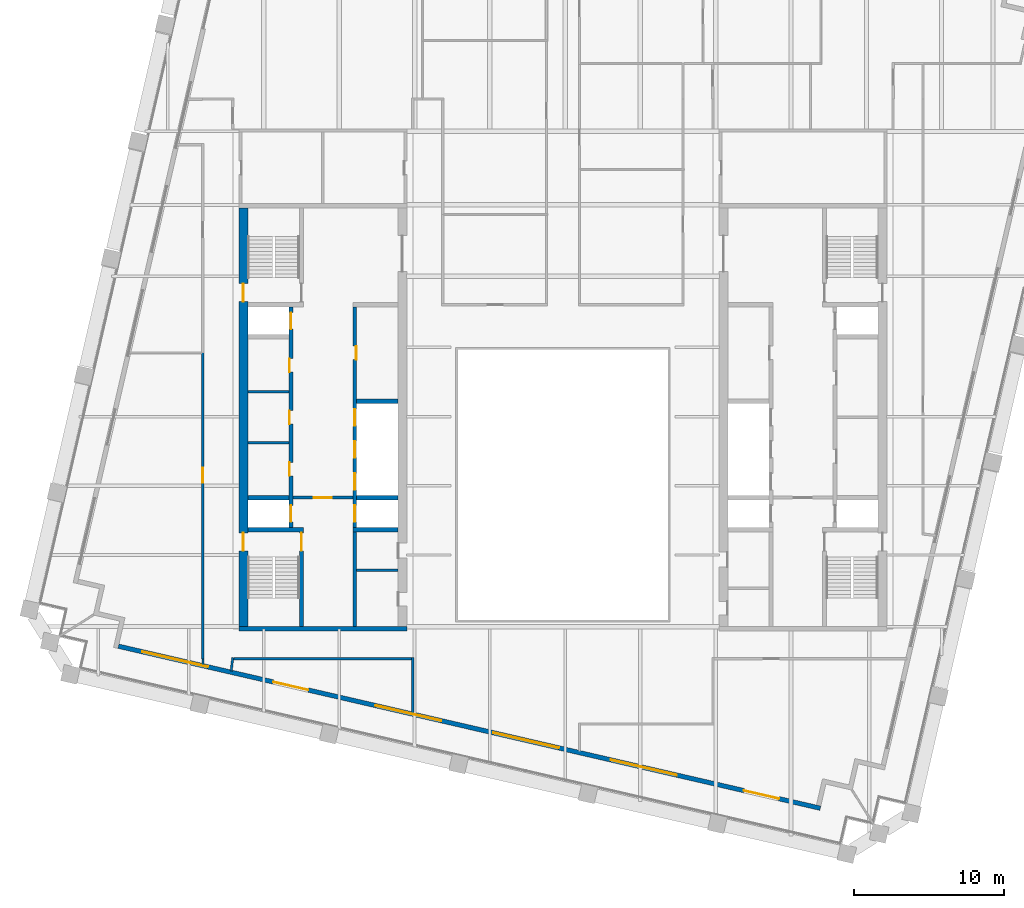
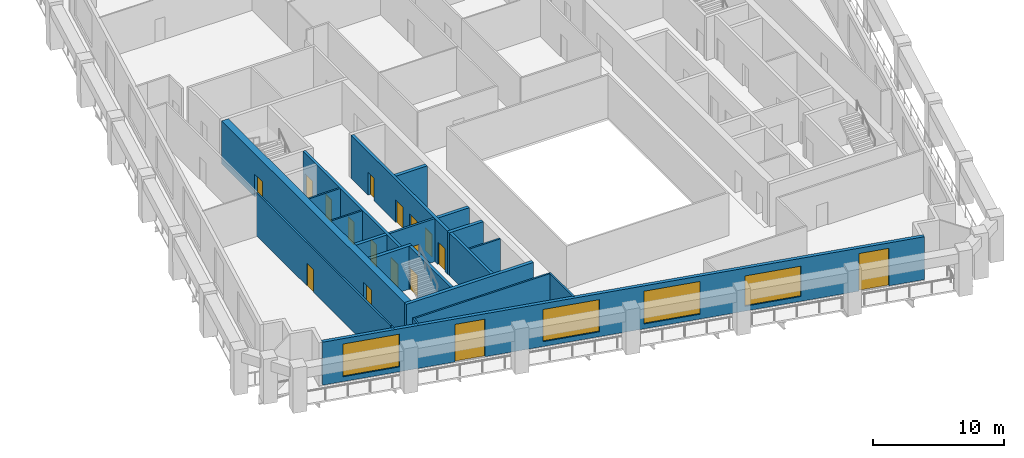
# One storey, part 4 of 10: 20 walls, 17 doors, 4 windows, 21 openings.
"""IFC4 building model written with IfcOpenShell, lengths in metres."""

from ifc_helpers import new_model, si_unit, direction, frame, frame_2d, origin, place, context, subcontext, project, spatial, rectangle, extrude, material, layer, layer_set, type_object, element, fill, save


model = new_model("IFC4")

# Units and contexts
model_context = context("Model", 3, precision=1e-05, world=origin(), true_north=direction((0.0, 1.0)))
body_context = subcontext(model_context, "Body", "Model", "MODEL_VIEW")
ifc_project = project(units=[si_unit("LENGTHUNIT", "METRE"), si_unit("AREAUNIT", "SQUARE_METRE"), si_unit("VOLUMEUNIT", "CUBIC_METRE"), si_unit("PLANEANGLEUNIT", "RADIAN"), si_unit("MASSUNIT", "GRAM", prefix="KILO")], contexts=[model_context])

# Site, building, storey
site_placement = place(None, origin())
site = spatial("IfcSite", under=ifc_project, at=site_placement, CompositionType="ELEMENT")
building_placement = place(site_placement, origin())
building = spatial("IfcBuilding", under=site, at=building_placement, Name="Ogive Exchange Tower", CompositionType="ELEMENT")
storey_placement = place(building_placement, frame((0.0, 0.0, 251.39990234375)))
storey = spatial("IfcBuildingStorey", under=building, at=storey_placement, Name="L54", CompositionType="ELEMENT", Elevation=251.39990234375)

# Walls
ifc_material_1 = material(Name="Gypsum board partition")
ifc_layer_1 = layer(ifc_material_1, 0.14990234375)
ifc_layer_set_1 = layer_set([ifc_layer_1], Name="Core room partition 150 gypsum")
wall_type_1 = type_object("IfcWallType", Name="Core room partition 150 gypsum", PredefinedType="PARTITIONING", material=ifc_layer_set_1)
for number, where, z_axis, x_axis, name in (
    (1, (-21.0, 9.800048828125, 0.0), (0.0, 0.0, 1.0), (1.0, 0.0, 0.0), "W row A bay partition 1-1"),
    (2, (-21.0, 13.199951171875, 0.0), (0.0, 0.0, 1.0), (1.0, 0.0, 0.0), "W row A bay partition 1-2"),
    (3, (-13.75, 1.300048828125, 0.0), (0.0, 0.0, 1.0), (1.0, 0.0, 0.0), "W south room partition"),
):
    element("IfcWall", number, at=place(storey_placement, frame(where, z_axis=z_axis, x_axis=x_axis)), inside=storey, type_object=wall_type_1, Name=name, PredefinedType="PARTITIONING", context=body_context, shape_type="SweptSolid", body=[
        extrude(rectangle(XDim=2.75, YDim=0.14990234375, at=frame_2d((1.375, 0.0))), origin(), (0.0, 0.0, 1.0), 4.0),
    ])

# Wall, opening, door
ifc_material_2 = material(Name="Fire partition EI 60 150")
ifc_layer_2 = layer(ifc_material_2, 0.14990234375)
ifc_layer_set_2 = layer_set([ifc_layer_2], Name="Fire partition EI 60 150")
wall_type_2 = type_object("IfcWallType", Name="Fire partition EI 60 150", PredefinedType="PARTITIONING", material=ifc_layer_set_2)
wall_1_placement = place(storey_placement, frame((-24.0, -4.60009765625, 0.0), z_axis=(0.0, 0.0, 1.0), x_axis=(0.0, 1.0, 0.0)))
wall_1 = element("IfcWall", 4, at=wall_1_placement, inside=storey, type_object=wall_type_2, Name="L54-PWL-002", PredefinedType="PARTITIONING", context=body_context, shape_type="SweptSolid", body=[
    extrude(rectangle(XDim=20.440185546875, YDim=0.14990234375, at=frame_2d((10.22021484375, 0.0))), origin(), (0.0, 0.0, 1.0), 4.0),
])
opening_1_placement = place(wall_1_placement, frame((11.739990234375, 0.0, 0.0)))
opening_1 = element("IfcOpeningElement", 5, at=opening_1_placement, cuts=wall_1, Name="Opening L54-I07", PredefinedType="OPENING", context=body_context, shape_type="SweptSolid", body=[
    extrude(rectangle(XDim=1.0, YDim=2.10009765625, at=frame_2d((0.5, 1.050048828125))), frame((0.0, 0.0849609375, 0.0), z_axis=(0.0, -1.0, 0.0), x_axis=(1.0, 0.0, 0.0)), (0.0, 0.0, 1.0), 0.169921875),
])
ifc_material_3 = material(Name="Fire door FD 30S 1000 x 2100")
door_type_1 = type_object("IfcDoorType", Name="Fire door FD 30S 1000 x 2100", OperationType="NOTDEFINED", PredefinedType="DOOR", material=ifc_material_3)
door_1_placement = place(opening_1_placement, origin())
door_1 = element("IfcDoor", 6, at=door_1_placement, inside=storey, type_object=door_type_1, Name="L54-IDR-007", ObjectType="DT3", OperationType="SINGLE_SWING_LEFT", OverallHeight=2.10009765625, OverallWidth=1.0, PredefinedType="DOOR", context=body_context, shape_type="SweptSolid", body=[
    extrude(rectangle(XDim=1.0, YDim=2.10009765625, at=frame_2d((0.5, 1.050048828125))), frame((0.0, 0.02490234375, 0.0), z_axis=(0.0, -1.0, 0.0), x_axis=(1.0, 0.0, 0.0)), (0.0, 0.0, 1.0), 0.050048828125),
])
fill(opening_1, door_1)

# Walls
wall_2_placement = place(storey_placement, frame((-23.989990234375, -4.986083984375, 0.0), z_axis=(0.0, 0.0, 1.0), x_axis=(0.0, 1.0, 0.0)))
element("IfcWall", 7, at=wall_2_placement, inside=storey, type_object=wall_type_2, Name="L54-PWL-007", PredefinedType="PARTITIONING", context=body_context, shape_type="SweptSolid", body=[
    extrude(rectangle(XDim=0.385986328125, YDim=0.14990234375, at=frame_2d((0.19287109375, 0.0))), origin(), (0.0, 0.0, 1.0), 4.0),
])
wall_3_placement = place(storey_placement, frame((-22.0009765625, -4.52490234375, 0.0), z_axis=(0.0, 0.0, 1.0), x_axis=(-0.115302119865, -0.993330469257, 0.0)))
element("IfcWall", 8, at=wall_3_placement, inside=storey, type_object=wall_type_2, Name="L54-PWL-009", PredefinedType="PARTITIONING", context=body_context, shape_type="SweptSolid", body=[
    extrude(rectangle(XDim=0.902099609375, YDim=0.14990234375, at=frame_2d((0.451171875, 0.0))), origin(), (0.0, 0.0, 1.0), 4.0),
])
wall_4_placement = place(storey_placement, frame((-10.0, -8.216064453125, 0.0), z_axis=(0.0, 0.0, 1.0), x_axis=(0.0, 1.0, 0.0)))
element("IfcWall", 9, at=wall_4_placement, inside=storey, type_object=wall_type_2, Name="L54-PWL-011", PredefinedType="PARTITIONING", context=body_context, shape_type="SweptSolid", body=[
    extrude(rectangle(XDim=3.691162109375, YDim=0.14990234375, at=frame_2d((1.845703125, 0.0))), origin(), (0.0, 0.0, 1.0), 4.0),
])
wall_5_placement = place(storey_placement, frame((-10.074951171875, -4.60009765625, 0.0), z_axis=(0.0, 0.0, 1.0), x_axis=(-1.0, 0.0, 0.0)))
element("IfcWall", 10, at=wall_5_placement, inside=storey, type_object=wall_type_2, Name="L54-PWL-012", PredefinedType="PARTITIONING", context=body_context, shape_type="SweptSolid", body=[
    extrude(rectangle(XDim=11.860107421875, YDim=0.14990234375, at=frame_2d((5.93017578125, 0.0))), origin(), (0.0, 0.0, 1.0), 4.0),
])

# Wall, openings, doors, windows
ifc_material_4 = material(Name="Precast concrete C40/50", Category="concrete")
ifc_layer_3 = layer(ifc_material_4, 0.300048828125)
ifc_layer_set_3 = layer_set([ifc_layer_3], Name="Limestone-faced wall 300")
wall_type_3 = type_object("IfcWallType", Name="Limestone-faced wall 300", PredefinedType="STANDARD", material=ifc_layer_set_3)
wall_6_placement = place(storey_placement, frame((-29.6162109375, -3.75830078125, 0.0), z_axis=(0.0, 0.0, 1.0), x_axis=(0.974370532314, -0.224949029246, 0.0)))
wall_6 = element("IfcWall", 11, at=wall_6_placement, inside=storey, type_object=wall_type_3, Name="External wall S1", PredefinedType="STANDARD", context=body_context, shape_type="SweptSolid", body=[
    extrude(rectangle(XDim=48.000244140625, YDim=0.300048828125, at=frame_2d((24.0, 0.0))), origin(), (0.0, 0.0, 1.0), 4.0),
])
opening_2_placement = place(wall_6_placement, frame((1.625, 0.0, 0.449951171875)))
opening_2 = element("IfcOpeningElement", 12, at=opening_2_placement, cuts=wall_6, Name="Opening W1", PredefinedType="OPENING", context=body_context, shape_type="SweptSolid", body=[
    extrude(rectangle(XDim=4.5, YDim=3.050048828125, at=frame_2d((2.25, 1.52490234375))), frame((0.0, 0.159912109375, 0.0), z_axis=(0.0, -1.0, 0.0), x_axis=(1.0, 0.0, 0.0)), (0.0, 0.0, 1.0), 0.320068359375),
])
opening_3_placement = place(wall_6_placement, frame((10.574951171875, 0.0, 0.0)))
opening_3 = element("IfcOpeningElement", 13, at=opening_3_placement, cuts=wall_6, Name="Opening D1", PredefinedType="OPENING", context=body_context, shape_type="SweptSolid", body=[
    extrude(rectangle(XDim=2.39990234375, YDim=3.5, at=frame_2d((1.199951171875, 1.75))), frame((0.0, 0.159912109375, 0.0), z_axis=(0.0, -1.0, 0.0), x_axis=(1.0, 0.0, 0.0)), (0.0, 0.0, 1.0), 0.320068359375),
])
opening_4_placement = place(wall_6_placement, frame((17.574951171875, 0.0, 0.449951171875)))
opening_4 = element("IfcOpeningElement", 14, at=opening_4_placement, cuts=wall_6, Name="Opening W1A", PredefinedType="OPENING", context=body_context, shape_type="SweptSolid", body=[
    extrude(rectangle(XDim=4.5, YDim=3.0, at=frame_2d((2.25, 1.5))), frame((0.0, 0.159912109375, 0.0), z_axis=(0.0, -1.0, 0.0), x_axis=(1.0, 0.0, 0.0)), (0.0, 0.0, 1.0), 0.320068359375),
])
opening_5_placement = place(wall_6_placement, frame((25.625, 0.0, 0.449951171875)))
opening_5 = element("IfcOpeningElement", 15, at=opening_5_placement, cuts=wall_6, Name="Opening W1", PredefinedType="OPENING", context=body_context, shape_type="SweptSolid", body=[
    extrude(rectangle(XDim=4.5, YDim=3.050048828125, at=frame_2d((2.25, 1.52490234375))), frame((0.0, 0.159912109375, 0.0), z_axis=(0.0, -1.0, 0.0), x_axis=(1.0, 0.0, 0.0)), (0.0, 0.0, 1.0), 0.320068359375),
])
opening_6_placement = place(wall_6_placement, frame((33.675048828125, 0.0, 0.449951171875)))
opening_6 = element("IfcOpeningElement", 16, at=opening_6_placement, cuts=wall_6, Name="Opening W1E", PredefinedType="OPENING", context=body_context, shape_type="SweptSolid", body=[
    extrude(rectangle(XDim=4.5, YDim=2.824951171875, at=frame_2d((2.25, 1.41259765625))), frame((0.0, 0.159912109375, 0.0), z_axis=(0.0, -1.0, 0.0), x_axis=(1.0, 0.0, 0.0)), (0.0, 0.0, 1.0), 0.320068359375),
])
opening_7_placement = place(wall_6_placement, frame((42.77490234375, 0.0, 0.0)))
opening_7 = element("IfcOpeningElement", 17, at=opening_7_placement, cuts=wall_6, Name="Opening D1", PredefinedType="OPENING", context=body_context, shape_type="SweptSolid", body=[
    extrude(rectangle(XDim=2.39990234375, YDim=3.5, at=frame_2d((1.199951171875, 1.75))), frame((0.0, 0.159912109375, 0.0), z_axis=(0.0, -1.0, 0.0), x_axis=(1.0, 0.0, 0.0)), (0.0, 0.0, 1.0), 0.320068359375),
])
ifc_material_5 = material(Name="Clear glass in bronze frame", Category="glass")
door_type_2 = type_object("IfcDoorType", Name="Sliding loggia door 2400 x 3500", OperationType="DOUBLE_DOOR_SLIDING", PredefinedType="DOOR", material=ifc_material_5)
door_2_placement = place(opening_3_placement, origin())
door_2 = element("IfcDoor", 18, at=door_2_placement, inside=storey, type_object=door_type_2, Name="Loggia door S01", OperationType="DOUBLE_DOOR_SLIDING", OverallHeight=3.5, OverallWidth=2.39990234375, PredefinedType="DOOR", context=body_context, shape_type="SweptSolid", body=[
    extrude(rectangle(XDim=2.39990234375, YDim=3.5, at=frame_2d((1.199951171875, 1.75))), frame((0.0, 0.02490234375, 0.0), z_axis=(0.0, -1.0, 0.0), x_axis=(1.0, 0.0, 0.0)), (0.0, 0.0, 1.0), 0.050048828125),
])
fill(opening_3, door_2)
door_3_placement = place(opening_7_placement, origin())
door_3 = element("IfcDoor", 19, at=door_3_placement, inside=storey, type_object=door_type_2, Name="Loggia door S05", OperationType="DOUBLE_DOOR_SLIDING", OverallHeight=3.5, OverallWidth=2.39990234375, PredefinedType="DOOR", context=body_context, shape_type="SweptSolid", body=[
    extrude(rectangle(XDim=2.39990234375, YDim=3.5, at=frame_2d((1.199951171875, 1.75))), frame((0.0, 0.02490234375, 0.0), z_axis=(0.0, -1.0, 0.0), x_axis=(1.0, 0.0, 0.0)), (0.0, 0.0, 1.0), 0.050048828125),
])
fill(opening_7, door_3)
window_type_1 = type_object("IfcWindowType", Name="Twin lancet window 4500 x 2825", PartitioningType="DOUBLE_PANEL_VERTICAL", PredefinedType="WINDOW", material=ifc_material_5)
window_1_placement = place(opening_6_placement, origin())
window_1 = element("IfcWindow", 20, at=window_1_placement, inside=storey, type_object=window_type_1, Name="Window S04", OverallHeight=2.824951171875, OverallWidth=4.5, PartitioningType="DOUBLE_PANEL_VERTICAL", PredefinedType="WINDOW", context=body_context, shape_type="SweptSolid", body=[
    extrude(rectangle(XDim=4.5, YDim=2.824951171875, at=frame_2d((2.25, 1.41259765625))), frame((0.0, 0.030029296875, 0.0), z_axis=(0.0, -1.0, 0.0), x_axis=(1.0, 0.0, 0.0)), (0.0, 0.0, 1.0), 0.06005859375),
])
fill(opening_6, window_1)
window_type_2 = type_object("IfcWindowType", Name="Twin lancet window 4500 x 3000", PartitioningType="DOUBLE_PANEL_VERTICAL", PredefinedType="WINDOW", material=ifc_material_5)
window_2_placement = place(opening_4_placement, origin())
window_2 = element("IfcWindow", 21, at=window_2_placement, inside=storey, type_object=window_type_2, Name="Window S02", OverallHeight=3.0, OverallWidth=4.5, PartitioningType="DOUBLE_PANEL_VERTICAL", PredefinedType="WINDOW", context=body_context, shape_type="SweptSolid", body=[
    extrude(rectangle(XDim=4.5, YDim=3.0, at=frame_2d((2.25, 1.5))), frame((0.0, 0.030029296875, 0.0), z_axis=(0.0, -1.0, 0.0), x_axis=(1.0, 0.0, 0.0)), (0.0, 0.0, 1.0), 0.06005859375),
])
fill(opening_4, window_2)
window_type_3 = type_object("IfcWindowType", Name="Twin lancet window 4500 x 3050", PartitioningType="DOUBLE_PANEL_VERTICAL", PredefinedType="WINDOW", material=ifc_material_5)
window_3_placement = place(opening_2_placement, origin())
window_3 = element("IfcWindow", 22, at=window_3_placement, inside=storey, type_object=window_type_3, Name="Window S00", OverallHeight=3.050048828125, OverallWidth=4.5, PartitioningType="DOUBLE_PANEL_VERTICAL", PredefinedType="WINDOW", context=body_context, shape_type="SweptSolid", body=[
    extrude(rectangle(XDim=4.5, YDim=3.050048828125, at=frame_2d((2.25, 1.52490234375))), frame((0.0, 0.030029296875, 0.0), z_axis=(0.0, -1.0, 0.0), x_axis=(1.0, 0.0, 0.0)), (0.0, 0.0, 1.0), 0.06005859375),
])
fill(opening_2, window_3)
window_4_placement = place(opening_5_placement, origin())
window_4 = element("IfcWindow", 23, at=window_4_placement, inside=storey, type_object=window_type_3, Name="Window S03", OverallHeight=3.050048828125, OverallWidth=4.5, PartitioningType="DOUBLE_PANEL_VERTICAL", PredefinedType="WINDOW", context=body_context, shape_type="SweptSolid", body=[
    extrude(rectangle(XDim=4.5, YDim=3.050048828125, at=frame_2d((2.25, 1.52490234375))), frame((0.0, 0.030029296875, 0.0), z_axis=(0.0, -1.0, 0.0), x_axis=(1.0, 0.0, 0.0)), (0.0, 0.0, 1.0), 0.06005859375),
])
fill(opening_5, window_4)

# Wall, opening, door
ifc_material_6 = material(Name="Concrete C70/85", Category="concrete")
ifc_layer_4 = layer(ifc_material_6, 0.199951171875)
ifc_layer_set_4 = layer_set([ifc_layer_4], Name="RC core wall 200 C70/85")
wall_type_4 = type_object("IfcWallType", Name="RC core wall 200 C70/85", PredefinedType="SHEAR", material=ifc_layer_set_4)
wall_7_placement = place(storey_placement, frame((-18.0, 6.142822265625, 0.0), z_axis=(0.0, 0.0, 1.0), x_axis=(1.0, 0.0, 0.0)))
wall_7 = element("IfcWall", 24, at=wall_7_placement, inside=storey, type_object=wall_type_4, Name="W firefighting lobby wall", PredefinedType="SHEAR", context=body_context, shape_type="SweptSolid", body=[
    extrude(rectangle(XDim=4.0, YDim=0.199951171875, at=frame_2d((2.0, 0.0))), origin(), (0.0, 0.0, 1.0), 4.0),
])
opening_8_placement = place(wall_7_placement, frame((1.39990234375, 0.0, 0.0)))
opening_8 = element("IfcOpeningElement", 25, at=opening_8_placement, cuts=wall_7, Name="Opening L54-C11", PredefinedType="OPENING", context=body_context, shape_type="SweptSolid", body=[
    extrude(rectangle(XDim=1.199951171875, YDim=2.10009765625, at=frame_2d((0.60009765625, 1.050048828125))), frame((0.0, 0.10986328125, 0.0), z_axis=(0.0, -1.0, 0.0), x_axis=(1.0, 0.0, 0.0)), (0.0, 0.0, 1.0), 0.219970703125),
])
ifc_material_7 = material(Name="Steel fire door", Category="steel")
door_type_3 = type_object("IfcDoorType", Name="Firefighting lobby door FD60 1200 x 2100", OperationType="NOTDEFINED", PredefinedType="DOOR", material=ifc_material_7)
door_4_placement = place(opening_8_placement, frame((1.199951171875, 0.0, 0.0), z_axis=(0.0, 0.0, 1.0), x_axis=(-1.0, 0.0, 0.0)))
door_4 = element("IfcDoor", 26, at=door_4_placement, inside=storey, type_object=door_type_3, Name="Firefighting lobby door", ObjectType="CD3", OperationType="SINGLE_SWING_RIGHT", OverallHeight=2.10009765625, OverallWidth=1.199951171875, PredefinedType="DOOR", context=body_context, shape_type="SweptSolid", body=[
    extrude(rectangle(XDim=1.199951171875, YDim=2.10009765625, at=frame_2d((0.60009765625, 1.050048828125))), frame((0.0, 0.02490234375, 0.0), z_axis=(0.0, -1.0, 0.0), x_axis=(1.0, 0.0, 0.0)), (0.0, 0.0, 1.0), 0.050048828125),
])
fill(opening_8, door_4)

ifc_layer_5 = layer(ifc_material_6, 0.25)
ifc_layer_set_5 = layer_set([ifc_layer_5], Name="RC core wall 250 C70/85")
wall_type_5 = type_object("IfcWallType", Name="RC core wall 250 C70/85", PredefinedType="SHEAR", material=ifc_layer_set_5)
wall_8_placement = place(storey_placement, frame((-17.425048828125, -2.449951171875, 0.0), z_axis=(0.0, 0.0, 1.0), x_axis=(0.0, 1.0, 0.0)))
wall_8 = element("IfcWall", 27, at=wall_8_placement, inside=storey, type_object=wall_type_5, Name="W stair S front wall", PredefinedType="SHEAR", context=body_context, shape_type="SweptSolid", body=[
    extrude(rectangle(XDim=6.300048828125, YDim=0.25, at=frame_2d((3.14990234375, 0.0))), origin(), (0.0, 0.0, 1.0), 4.0),
])
opening_9_placement = place(wall_8_placement, frame((5.050048828125, 0.0, 0.0)))
opening_9 = element("IfcOpeningElement", 28, at=opening_9_placement, cuts=wall_8, Name="Opening L54-C13", PredefinedType="OPENING", context=body_context, shape_type="SweptSolid", body=[
    extrude(rectangle(XDim=1.199951171875, YDim=2.10009765625, at=frame_2d((0.60009765625, 1.050048828125))), frame((0.0, 0.135009765625, 0.0), z_axis=(0.0, -1.0, 0.0), x_axis=(1.0, 0.0, 0.0)), (0.0, 0.0, 1.0), 0.27001953125),
])
door_type_4 = type_object("IfcDoorType", Name="Stair door FD90 1200 x 2100", OperationType="NOTDEFINED", PredefinedType="DOOR", material=ifc_material_7)
door_5_placement = place(opening_9_placement, origin())
door_5 = element("IfcDoor", 29, at=door_5_placement, inside=storey, type_object=door_type_4, Name="Stair door", ObjectType="CD5", OperationType="SINGLE_SWING_LEFT", OverallHeight=2.10009765625, OverallWidth=1.199951171875, PredefinedType="DOOR", context=body_context, shape_type="SweptSolid", body=[
    extrude(rectangle(XDim=1.199951171875, YDim=2.10009765625, at=frame_2d((0.60009765625, 1.050048828125))), frame((0.0, 0.02490234375, 0.0), z_axis=(0.0, -1.0, 0.0), x_axis=(1.0, 0.0, 0.0)), (0.0, 0.0, 1.0), 0.050048828125),
])
fill(opening_9, door_5)

# Wall, openings, doors
wall_9_placement = place(storey_placement, frame((-18.125, 4.14990234375, 0.0), z_axis=(0.0, 0.0, 1.0), x_axis=(0.0, 1.0, 0.0)))
wall_9 = element("IfcWall", 30, at=wall_9_placement, inside=storey, type_object=wall_type_5, Name="W row A front wall", PredefinedType="SHEAR", context=body_context, shape_type="SweptSolid", body=[
    extrude(rectangle(XDim=14.7001953125, YDim=0.25, at=frame_2d((7.35009765625, 0.0))), origin(), (0.0, 0.0, 1.0), 4.0),
])
opening_10_placement = place(wall_9_placement, frame((3.4462890625, 0.0, 0.0)))
opening_10 = element("IfcOpeningElement", 31, at=opening_10_placement, cuts=wall_9, Name="Opening L54-C01", PredefinedType="OPENING", context=body_context, shape_type="SweptSolid", body=[
    extrude(rectangle(XDim=0.89990234375, YDim=2.10009765625, at=frame_2d((0.449951171875, 1.050048828125))), frame((0.0, 0.135009765625, 0.0), z_axis=(0.0, -1.0, 0.0), x_axis=(1.0, 0.0, 0.0)), (0.0, 0.0, 1.0), 0.27001953125),
])
opening_11_placement = place(wall_9_placement, frame((6.89990234375, 0.0, 0.0)))
opening_11 = element("IfcOpeningElement", 32, at=opening_11_placement, cuts=wall_9, Name="Opening L54-C02", PredefinedType="OPENING", context=body_context, shape_type="SweptSolid", body=[
    extrude(rectangle(XDim=0.89990234375, YDim=2.10009765625, at=frame_2d((0.449951171875, 1.050048828125))), frame((0.0, 0.135009765625, 0.0), z_axis=(0.0, -1.0, 0.0), x_axis=(1.0, 0.0, 0.0)), (0.0, 0.0, 1.0), 0.27001953125),
])
opening_12_placement = place(wall_9_placement, frame((10.353515625, 0.0, 0.0)))
opening_12 = element("IfcOpeningElement", 33, at=opening_12_placement, cuts=wall_9, Name="Opening L54-C03", PredefinedType="OPENING", context=body_context, shape_type="SweptSolid", body=[
    extrude(rectangle(XDim=0.89990234375, YDim=2.10009765625, at=frame_2d((0.449951171875, 1.050048828125))), frame((0.0, 0.135009765625, 0.0), z_axis=(0.0, -1.0, 0.0), x_axis=(1.0, 0.0, 0.0)), (0.0, 0.0, 1.0), 0.27001953125),
])
opening_13_placement = place(wall_9_placement, frame((0.371337890625, 0.0, 0.0)))
opening_13 = element("IfcOpeningElement", 34, at=opening_13_placement, cuts=wall_9, Name="Opening L54-C04", PredefinedType="OPENING", context=body_context, shape_type="SweptSolid", body=[
    extrude(rectangle(XDim=1.10009765625, YDim=2.10009765625, at=frame_2d((0.550048828125, 1.050048828125))), frame((0.0, 0.135009765625, 0.0), z_axis=(0.0, -1.0, 0.0), x_axis=(1.0, 0.0, 0.0)), (0.0, 0.0, 1.0), 0.27001953125),
])
opening_14_placement = place(wall_9_placement, frame((13.228515625, 0.0, 0.0)))
opening_14 = element("IfcOpeningElement", 35, at=opening_14_placement, cuts=wall_9, Name="Opening L54-C05", PredefinedType="OPENING", context=body_context, shape_type="SweptSolid", body=[
    extrude(rectangle(XDim=1.10009765625, YDim=2.10009765625, at=frame_2d((0.550048828125, 1.050048828125))), frame((0.0, 0.135009765625, 0.0), z_axis=(0.0, -1.0, 0.0), x_axis=(1.0, 0.0, 0.0)), (0.0, 0.0, 1.0), 0.27001953125),
])
ifc_material_8 = material(Name="Stainless steel", Category="steel")
door_type_5 = type_object("IfcDoorType", Name="Lift landing door FD90 1100 x 2100", OperationType="SLIDING_TO_LEFT", PredefinedType="DOOR", material=ifc_material_8)
door_6_placement = place(opening_13_placement, origin())
door_6 = element("IfcDoor", 36, at=door_6_placement, inside=storey, type_object=door_type_5, Name="Lift landing door FF1", ObjectType="LD", OperationType="SLIDING_TO_LEFT", OverallHeight=2.10009765625, OverallWidth=1.10009765625, PredefinedType="DOOR", context=body_context, shape_type="SweptSolid", body=[
    extrude(rectangle(XDim=1.10009765625, YDim=2.10009765625, at=frame_2d((0.550048828125, 1.050048828125))), frame((0.0, 0.02490234375, 0.0), z_axis=(0.0, -1.0, 0.0), x_axis=(1.0, 0.0, 0.0)), (0.0, 0.0, 1.0), 0.050048828125),
])
fill(opening_13, door_6)
door_7_placement = place(opening_14_placement, origin())
door_7 = element("IfcDoor", 37, at=door_7_placement, inside=storey, type_object=door_type_5, Name="Lift landing door W-SH2", ObjectType="LD", OperationType="SLIDING_TO_LEFT", OverallHeight=2.10009765625, OverallWidth=1.10009765625, PredefinedType="DOOR", context=body_context, shape_type="SweptSolid", body=[
    extrude(rectangle(XDim=1.10009765625, YDim=2.10009765625, at=frame_2d((0.550048828125, 1.050048828125))), frame((0.0, 0.02490234375, 0.0), z_axis=(0.0, -1.0, 0.0), x_axis=(1.0, 0.0, 0.0)), (0.0, 0.0, 1.0), 0.050048828125),
])
fill(opening_14, door_7)
door_type_6 = type_object("IfcDoorType", Name="Riser door FD60 900 x 2100", OperationType="NOTDEFINED", PredefinedType="DOOR", material=ifc_material_7)
door_8_placement = place(opening_10_placement, origin())
door_8 = element("IfcDoor", 38, at=door_8_placement, inside=storey, type_object=door_type_6, Name="Riser door", ObjectType="CD2", OperationType="SINGLE_SWING_RIGHT", OverallHeight=2.10009765625, OverallWidth=0.89990234375, PredefinedType="DOOR", context=body_context, shape_type="SweptSolid", body=[
    extrude(rectangle(XDim=0.89990234375, YDim=2.10009765625, at=frame_2d((0.449951171875, 1.050048828125))), frame((0.0, 0.125, 0.0), z_axis=(0.0, -1.0, 0.0), x_axis=(1.0, 0.0, 0.0)), (0.0, 0.0, 1.0), 0.050048828125),
])
fill(opening_10, door_8)
door_9_placement = place(opening_11_placement, origin())
door_9 = element("IfcDoor", 39, at=door_9_placement, inside=storey, type_object=door_type_6, Name="Riser door", ObjectType="CD2", OperationType="SINGLE_SWING_RIGHT", OverallHeight=2.10009765625, OverallWidth=0.89990234375, PredefinedType="DOOR", context=body_context, shape_type="SweptSolid", body=[
    extrude(rectangle(XDim=0.89990234375, YDim=2.10009765625, at=frame_2d((0.449951171875, 1.050048828125))), frame((0.0, 0.125, 0.0), z_axis=(0.0, -1.0, 0.0), x_axis=(1.0, 0.0, 0.0)), (0.0, 0.0, 1.0), 0.050048828125),
])
fill(opening_11, door_9)
door_10_placement = place(opening_12_placement, origin())
door_10 = element("IfcDoor", 40, at=door_10_placement, inside=storey, type_object=door_type_6, Name="Riser door", ObjectType="CD2", OperationType="SINGLE_SWING_RIGHT", OverallHeight=2.10009765625, OverallWidth=0.89990234375, PredefinedType="DOOR", context=body_context, shape_type="SweptSolid", body=[
    extrude(rectangle(XDim=0.89990234375, YDim=2.10009765625, at=frame_2d((0.449951171875, 1.050048828125))), frame((0.0, 0.125, 0.0), z_axis=(0.0, -1.0, 0.0), x_axis=(1.0, 0.0, 0.0)), (0.0, 0.0, 1.0), 0.050048828125),
])
fill(opening_12, door_10)

wall_10_placement = place(storey_placement, frame((-13.875, -2.449951171875, 0.0), z_axis=(0.0, 0.0, 1.0), x_axis=(0.0, 1.0, 0.0)))
wall_10 = element("IfcWall", 41, at=wall_10_placement, inside=storey, type_object=wall_type_5, Name="W row B front wall", PredefinedType="SHEAR", context=body_context, shape_type="SweptSolid", body=[
    extrude(rectangle(XDim=21.300048828125, YDim=0.25, at=frame_2d((10.64990234375, 0.0))), origin(), (0.0, 0.0, 1.0), 4.0),
])
opening_15_placement = place(wall_10_placement, frame((17.78564453125, 0.0, 0.0)))
opening_15 = element("IfcOpeningElement", 42, at=opening_15_placement, cuts=wall_10, Name="Opening L54-C06", PredefinedType="OPENING", context=body_context, shape_type="SweptSolid", body=[
    extrude(rectangle(XDim=0.89990234375, YDim=2.10009765625, at=frame_2d((0.449951171875, 1.050048828125))), frame((0.0, 0.135009765625, 0.0), z_axis=(0.0, -1.0, 0.0), x_axis=(1.0, 0.0, 0.0)), (0.0, 0.0, 1.0), 0.27001953125),
])
opening_16_placement = place(wall_10_placement, frame((6.971435546875, 0.0, 0.0)))
opening_16 = element("IfcOpeningElement", 43, at=opening_16_placement, cuts=wall_10, Name="Opening L54-C07", PredefinedType="OPENING", context=body_context, shape_type="SweptSolid", body=[
    extrude(rectangle(XDim=1.10009765625, YDim=2.10009765625, at=frame_2d((0.550048828125, 1.050048828125))), frame((0.0, 0.135009765625, 0.0), z_axis=(0.0, -1.0, 0.0), x_axis=(1.0, 0.0, 0.0)), (0.0, 0.0, 1.0), 0.27001953125),
])
opening_17_placement = place(wall_10_placement, frame((9.1142578125, 0.0, 0.0)))
opening_17 = element("IfcOpeningElement", 44, at=opening_17_placement, cuts=wall_10, Name="Opening L54-C08", PredefinedType="OPENING", context=body_context, shape_type="SweptSolid", body=[
    extrude(rectangle(XDim=1.10009765625, YDim=2.10009765625, at=frame_2d((0.550048828125, 1.050048828125))), frame((0.0, 0.135009765625, 0.0), z_axis=(0.0, -1.0, 0.0), x_axis=(1.0, 0.0, 0.0)), (0.0, 0.0, 1.0), 0.27001953125),
])
opening_18_placement = place(wall_10_placement, frame((11.257080078125, 0.0, 0.0)))
opening_18 = element("IfcOpeningElement", 45, at=opening_18_placement, cuts=wall_10, Name="Opening L54-C09", PredefinedType="OPENING", context=body_context, shape_type="SweptSolid", body=[
    extrude(rectangle(XDim=1.10009765625, YDim=2.10009765625, at=frame_2d((0.550048828125, 1.050048828125))), frame((0.0, 0.135009765625, 0.0), z_axis=(0.0, -1.0, 0.0), x_axis=(1.0, 0.0, 0.0)), (0.0, 0.0, 1.0), 0.27001953125),
])
opening_19_placement = place(wall_10_placement, frame((13.39990234375, 0.0, 0.0)))
opening_19 = element("IfcOpeningElement", 46, at=opening_19_placement, cuts=wall_10, Name="Opening L54-C10", PredefinedType="OPENING", context=body_context, shape_type="SweptSolid", body=[
    extrude(rectangle(XDim=1.10009765625, YDim=2.10009765625, at=frame_2d((0.550048828125, 1.050048828125))), frame((0.0, 0.135009765625, 0.0), z_axis=(0.0, -1.0, 0.0), x_axis=(1.0, 0.0, 0.0)), (0.0, 0.0, 1.0), 0.27001953125),
])
door_11_placement = place(opening_16_placement, origin())
door_11 = element("IfcDoor", 47, at=door_11_placement, inside=storey, type_object=door_type_5, Name="Lift landing door SV1", ObjectType="LD", OperationType="SLIDING_TO_LEFT", OverallHeight=2.10009765625, OverallWidth=1.10009765625, PredefinedType="DOOR", context=body_context, shape_type="SweptSolid", body=[
    extrude(rectangle(XDim=1.10009765625, YDim=2.10009765625, at=frame_2d((0.550048828125, 1.050048828125))), frame((0.0, 0.02490234375, 0.0), z_axis=(0.0, -1.0, 0.0), x_axis=(1.0, 0.0, 0.0)), (0.0, 0.0, 1.0), 0.050048828125),
])
fill(opening_16, door_11)
door_12_placement = place(opening_17_placement, origin())
door_12 = element("IfcDoor", 48, at=door_12_placement, inside=storey, type_object=door_type_5, Name="Lift landing door W-M1", ObjectType="LD", OperationType="SLIDING_TO_LEFT", OverallHeight=2.10009765625, OverallWidth=1.10009765625, PredefinedType="DOOR", context=body_context, shape_type="SweptSolid", body=[
    extrude(rectangle(XDim=1.10009765625, YDim=2.10009765625, at=frame_2d((0.550048828125, 1.050048828125))), frame((0.0, 0.02490234375, 0.0), z_axis=(0.0, -1.0, 0.0), x_axis=(1.0, 0.0, 0.0)), (0.0, 0.0, 1.0), 0.050048828125),
])
fill(opening_17, door_12)
door_13_placement = place(opening_18_placement, origin())
door_13 = element("IfcDoor", 49, at=door_13_placement, inside=storey, type_object=door_type_5, Name="Lift landing door W-M2", ObjectType="LD", OperationType="SLIDING_TO_LEFT", OverallHeight=2.10009765625, OverallWidth=1.10009765625, PredefinedType="DOOR", context=body_context, shape_type="SweptSolid", body=[
    extrude(rectangle(XDim=1.10009765625, YDim=2.10009765625, at=frame_2d((0.550048828125, 1.050048828125))), frame((0.0, 0.02490234375, 0.0), z_axis=(0.0, -1.0, 0.0), x_axis=(1.0, 0.0, 0.0)), (0.0, 0.0, 1.0), 0.050048828125),
])
fill(opening_18, door_13)
door_14_placement = place(opening_19_placement, origin())
door_14 = element("IfcDoor", 50, at=door_14_placement, inside=storey, type_object=door_type_5, Name="Lift landing door W-M3", ObjectType="LD", OperationType="SLIDING_TO_LEFT", OverallHeight=2.10009765625, OverallWidth=1.10009765625, PredefinedType="DOOR", context=body_context, shape_type="SweptSolid", body=[
    extrude(rectangle(XDim=1.10009765625, YDim=2.10009765625, at=frame_2d((0.550048828125, 1.050048828125))), frame((0.0, 0.02490234375, 0.0), z_axis=(0.0, -1.0, 0.0), x_axis=(1.0, 0.0, 0.0)), (0.0, 0.0, 1.0), 0.050048828125),
])
fill(opening_19, door_14)
door_15_placement = place(opening_15_placement, frame((0.89990234375, -0.2001953125, 0.0), z_axis=(0.0, 0.0, 1.0), x_axis=(-1.0, 0.0, 0.0)))
door_15 = element("IfcDoor", 51, at=door_15_placement, inside=storey, type_object=door_type_6, Name="Riser door", ObjectType="CD2", OperationType="SINGLE_SWING_RIGHT", OverallHeight=2.10009765625, OverallWidth=0.89990234375, PredefinedType="DOOR", context=body_context, shape_type="SweptSolid", body=[
    extrude(rectangle(XDim=0.89990234375, YDim=2.10009765625, at=frame_2d((0.449951171875, 1.050048828125))), frame((0.0, -0.0751953125, 0.0), z_axis=(0.0, -1.0, 0.0), x_axis=(1.0, 0.0, 0.0)), (0.0, 0.0, 1.0), 0.050048828125),
])
fill(opening_15, door_15)

# Walls
ifc_layer_6 = layer(ifc_material_6, 0.300048828125)
ifc_layer_set_6 = layer_set([ifc_layer_6], Name="RC core wall 300 C70/85")
wall_type_6 = type_object("IfcWallType", Name="RC core wall 300 C70/85", PredefinedType="SHEAR", material=ifc_layer_set_6)
wall_11_placement = place(storey_placement, frame((-21.60009765625, -2.60009765625, 0.0), z_axis=(0.0, 0.0, 1.0), x_axis=(1.0, 0.0, 0.0)))
element("IfcWall", 52, at=wall_11_placement, inside=storey, type_object=wall_type_6, Name="W south end wall", PredefinedType="SHEAR", context=body_context, shape_type="SweptSolid", body=[
    extrude(rectangle(XDim=11.2001953125, YDim=0.300048828125, at=frame_2d((5.60009765625, 0.0))), origin(), (0.0, 0.0, 1.0), 4.0),
])
wall_12_placement = place(storey_placement, frame((-21.0, 4.0, 0.0), z_axis=(0.0, 0.0, 1.0), x_axis=(1.0, 0.0, 0.0)))
element("IfcWall", 53, at=wall_12_placement, inside=storey, type_object=wall_type_6, Name="W stair S north wall", PredefinedType="SHEAR", context=body_context, shape_type="SweptSolid", body=[
    extrude(rectangle(XDim=3.699951171875, YDim=0.300048828125, at=frame_2d((1.85009765625, 0.0))), origin(), (0.0, 0.0, 1.0), 4.0),
])
wall_13_placement = place(storey_placement, frame((-21.0, 6.142822265625, 0.0), z_axis=(0.0, 0.0, 1.0), x_axis=(1.0, 0.0, 0.0)))
element("IfcWall", 54, at=wall_13_placement, inside=storey, type_object=wall_type_6, Name="W row A divider 1", PredefinedType="SHEAR", context=body_context, shape_type="SweptSolid", body=[
    extrude(rectangle(XDim=2.75, YDim=0.300048828125, at=frame_2d((1.375, 0.0))), origin(), (0.0, 0.0, 1.0), 4.0),
])
wall_14_placement = place(storey_placement, frame((-14.0, 4.0, 0.0), z_axis=(0.0, 0.0, 1.0), x_axis=(1.0, 0.0, 0.0)))
element("IfcWall", 55, at=wall_14_placement, inside=storey, type_object=wall_type_6, Name="W row B divider 0", PredefinedType="SHEAR", context=body_context, shape_type="SweptSolid", body=[
    extrude(rectangle(XDim=3.0, YDim=0.300048828125, at=frame_2d((1.5, 0.0))), origin(), (0.0, 0.0, 1.0), 4.0),
])
for number, where, z_axis, x_axis, name in (
    (56, (-13.75, 6.142822265625, 0.0), (0.0, 0.0, 1.0), (1.0, 0.0, 0.0), "W row B divider 1"),
    (57, (-13.75, 12.5712890625, 0.0), (0.0, 0.0, 1.0), (1.0, 0.0, 0.0), "W row B divider 4"),
):
    element("IfcWall", number, at=place(storey_placement, frame(where, z_axis=z_axis, x_axis=x_axis)), inside=storey, type_object=wall_type_6, Name=name, PredefinedType="SHEAR", context=body_context, shape_type="SweptSolid", body=[
        extrude(rectangle(XDim=2.75, YDim=0.300048828125, at=frame_2d((1.375, 0.0))), origin(), (0.0, 0.0, 1.0), 4.0),
    ])

# Wall, openings, doors
ifc_layer_7 = layer(ifc_material_6, 0.60009765625)
ifc_layer_set_7 = layer_set([ifc_layer_7], Name="RC core wall 600 C70/85")
wall_type_7 = type_object("IfcWallType", Name="RC core wall 600 C70/85", PredefinedType="SHEAR", material=ifc_layer_set_7)
wall_15_placement = place(storey_placement, frame((-21.300048828125, -2.449951171875, 0.0), z_axis=(0.0, 0.0, 1.0), x_axis=(0.0, 1.0, 0.0)))
wall_15 = element("IfcWall", 58, at=wall_15_placement, inside=storey, type_object=wall_type_7, Name="W outer wall", PredefinedType="SHEAR", context=body_context, shape_type="SweptSolid", body=[
    extrude(rectangle(XDim=27.89990234375, YDim=0.60009765625, at=frame_2d((13.949951171875, 0.0))), origin(), (0.0, 0.0, 1.0), 4.0),
])
opening_20_placement = place(wall_15_placement, frame((5.050048828125, 0.0, 0.0)))
opening_20 = element("IfcOpeningElement", 59, at=opening_20_placement, cuts=wall_15, Name="Opening L54-C14", PredefinedType="OPENING", context=body_context, shape_type="SweptSolid", body=[
    extrude(rectangle(XDim=1.199951171875, YDim=2.10009765625, at=frame_2d((0.60009765625, 1.050048828125))), frame((0.0, 0.31005859375, 0.0), z_axis=(0.0, -1.0, 0.0), x_axis=(1.0, 0.0, 0.0)), (0.0, 0.0, 1.0), 0.6201171875),
])
opening_21_placement = place(wall_15_placement, frame((21.64990234375, 0.0, 0.0)))
opening_21 = element("IfcOpeningElement", 60, at=opening_21_placement, cuts=wall_15, Name="Opening L54-C16", PredefinedType="OPENING", context=body_context, shape_type="SweptSolid", body=[
    extrude(rectangle(XDim=1.199951171875, YDim=2.10009765625, at=frame_2d((0.60009765625, 1.050048828125))), frame((0.0, 0.31005859375, 0.0), z_axis=(0.0, -1.0, 0.0), x_axis=(1.0, 0.0, 0.0)), (0.0, 0.0, 1.0), 0.6201171875),
])
door_16_placement = place(opening_20_placement, origin())
door_16 = element("IfcDoor", 61, at=door_16_placement, inside=storey, type_object=door_type_4, Name="Stair door", ObjectType="CD5", OperationType="SINGLE_SWING_RIGHT", OverallHeight=2.10009765625, OverallWidth=1.199951171875, PredefinedType="DOOR", context=body_context, shape_type="SweptSolid", body=[
    extrude(rectangle(XDim=1.199951171875, YDim=2.10009765625, at=frame_2d((0.60009765625, 1.050048828125))), frame((0.0, 0.02490234375, 0.0), z_axis=(0.0, -1.0, 0.0), x_axis=(1.0, 0.0, 0.0)), (0.0, 0.0, 1.0), 0.050048828125),
])
fill(opening_20, door_16)
door_17_placement = place(opening_21_placement, origin())
door_17 = element("IfcDoor", 62, at=door_17_placement, inside=storey, type_object=door_type_4, Name="Stair door", ObjectType="CD5", OperationType="SINGLE_SWING_RIGHT", OverallHeight=2.10009765625, OverallWidth=1.199951171875, PredefinedType="DOOR", context=body_context, shape_type="SweptSolid", body=[
    extrude(rectangle(XDim=1.199951171875, YDim=2.10009765625, at=frame_2d((0.60009765625, 1.050048828125))), frame((0.0, 0.02490234375, 0.0), z_axis=(0.0, -1.0, 0.0), x_axis=(1.0, 0.0, 0.0)), (0.0, 0.0, 1.0), 0.050048828125),
])
fill(opening_21, door_17)

save(model, "model.ifc")
